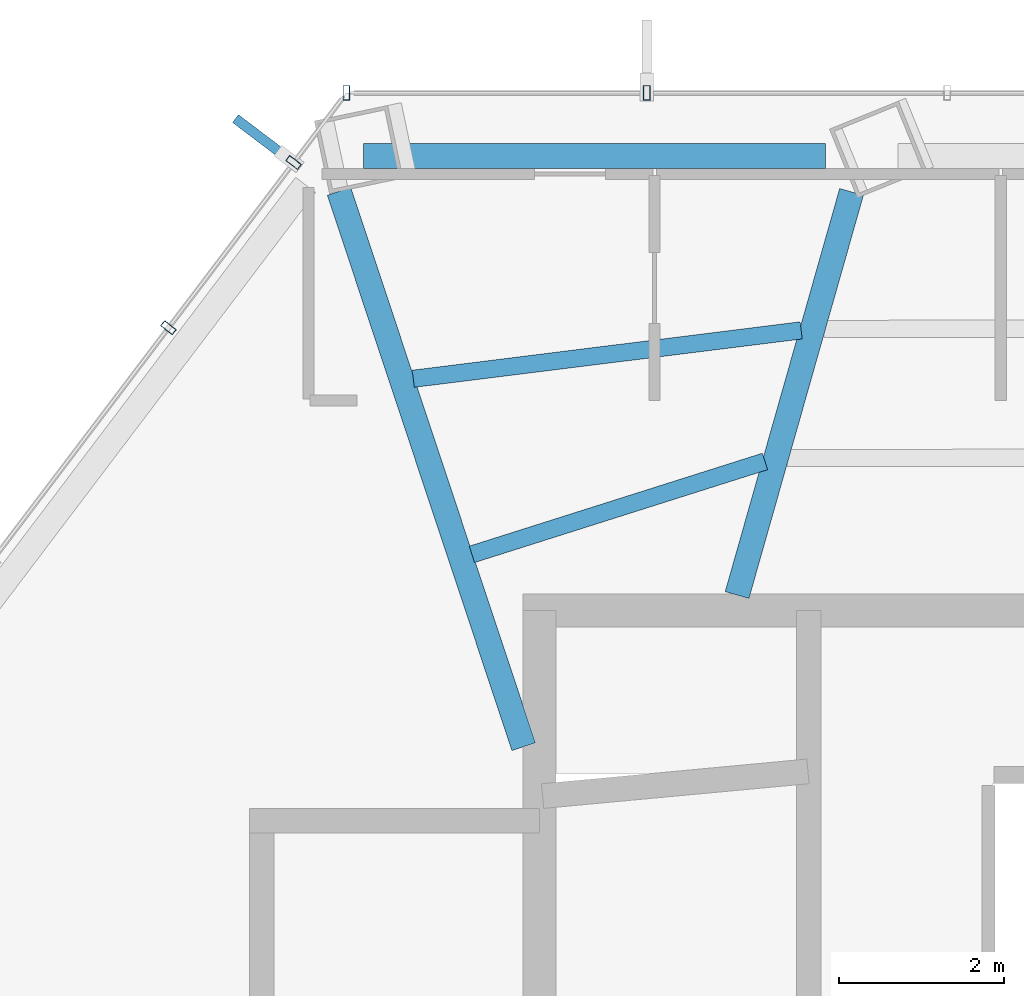
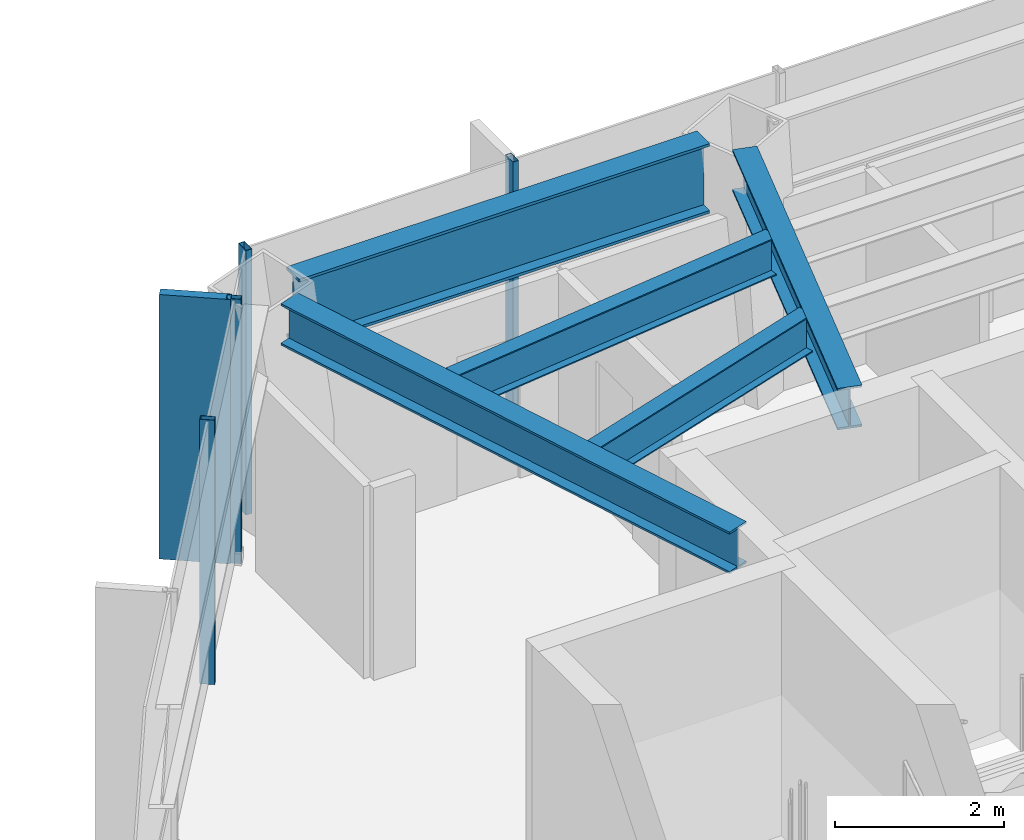
# One storey, part 13 of 27: 5 beams, 5 members, 2 elements without a shape of their own.
"""IFC4 building model written with IfcOpenShell, lengths in metres."""

from ifc_helpers import new_model, si_unit, direction, frame, origin, origin_2d, place, context, subcontext, project, spatial, rectangle, hollow_rectangle, i_section, extrude, material, layer, layer_set, material_profile, profile_set, type_object, element, aggregate, save


model = new_model("IFC4")

# Units and contexts
model_context = context("Model", 3, precision=1e-05, world=origin(), true_north=direction((0.0, 1.0)))
body_context = subcontext(model_context, "Body", "Model", "MODEL_VIEW")
ifc_project = project(units=[si_unit("LENGTHUNIT", "METRE"), si_unit("AREAUNIT", "SQUARE_METRE"), si_unit("VOLUMEUNIT", "CUBIC_METRE"), si_unit("PLANEANGLEUNIT", "RADIAN"), si_unit("MASSUNIT", "GRAM", prefix="KILO")], contexts=[model_context])

# Site, building, storey
site_placement = place(None, origin())
site = spatial("IfcSite", under=ifc_project, at=site_placement, CompositionType="ELEMENT")
building_placement = place(site_placement, origin())
building = spatial("IfcBuilding", under=site, at=building_placement, Name="Zarrinselat Tower", CompositionType="ELEMENT")
storey_placement = place(building_placement, frame((0.0, 0.0, 80.580078125)))
storey = spatial("IfcBuildingStorey", under=building, at=storey_placement, Name="L19", CompositionType="ELEMENT", Elevation=80.580078125)

# Beams
ifc_material_1 = material(Name="Steel S355J2", Category="steel")
ifc_material_profile_1 = material_profile(ifc_material_1, i_section(OverallWidth=0.300048828125, OverallDepth=0.60009765625, WebThickness=0.015380859375, FlangeThickness=0.030029296875, at=origin_2d()), Name="HEB 600")
ifc_profile_set_1 = profile_set([ifc_material_profile_1], Name="Steel S355J2")
beam_type_1 = type_object("IfcBeamType", Name="BM-HEB600", PredefinedType="BEAM", material=ifc_profile_set_1)
beam_1_placement = place(storey_placement, frame((31.0, 43.639892578125, 3.52001953125), z_axis=(0.273160985229, 0.961968334275, 0.0), x_axis=(-0.961968334275, 0.273160985229, 0.0)))
element("IfcBeam", 1, at=beam_1_placement, inside=storey, type_object=beam_type_1, Name="L19 Radial Primary Girder RG04", PredefinedType="BEAM", context=body_context, shape_type="SweptSolid", body=[
    extrude(i_section(OverallWidth=0.300048828125, OverallDepth=0.60009765625, WebThickness=0.015380859375, FlangeThickness=0.030029296875, at=origin_2d()), origin(), (0.0, 0.0, 1.0), 5.08544921875),
])
beam_2_placement = place(storey_placement, frame((26.170166015625, 48.537841796875, 3.52001953125), z_axis=(0.315443690727, -0.948944296564, 0.0), x_axis=(0.948944296564, 0.315443690727, 0.0)))
element("IfcBeam", 2, at=beam_2_placement, inside=storey, type_object=beam_type_1, Name="L19 Radial Primary Girder RG05", PredefinedType="BEAM", context=body_context, shape_type="SweptSolid", body=[
    extrude(i_section(OverallWidth=0.300048828125, OverallDepth=0.60009765625, WebThickness=0.015380859375, FlangeThickness=0.030029296875, at=origin_2d()), origin(), (0.0, 0.0, 1.0), 7.100341796875),
])
ifc_material_2 = material(Name="Steel S460M", Category="steel")
ifc_material_profile_2 = material_profile(ifc_material_2, i_section(OverallWidth=0.302001953125, OverallDepth=1.008056640625, WebThickness=0.02099609375, FlangeThickness=0.0400390625, at=origin_2d()), Name="HEM 1000")
ifc_profile_set_2 = profile_set([ifc_material_profile_2], Name="Steel S460M")
beam_type_2 = type_object("IfcBeamType", Name="BM-HEM1000", PredefinedType="BEAM", material=ifc_profile_set_2)
beam_3_placement = place(storey_placement, frame((26.465576171875, 48.966796875, 3.31591796875), z_axis=(1.0, 0.0, 0.0), x_axis=(0.0, 1.0, 0.0)))
element("IfcBeam", 3, at=beam_3_placement, inside=storey, type_object=beam_type_2, Name="L19 Perimeter Spandrel Girder SP04", PredefinedType="BEAM", context=body_context, shape_type="SweptSolid", body=[
    extrude(i_section(OverallWidth=0.302001953125, OverallDepth=1.008056640625, WebThickness=0.02099609375, FlangeThickness=0.0400390625, at=origin_2d()), origin(), (0.0, 0.0, 1.0), 5.609130859375),
])
ifc_material_3 = material(Name="Steel S355J2", Category="steel")
ifc_material_profile_3 = material_profile(ifc_material_3, i_section(OverallWidth=0.2099609375, OverallDepth=0.550048828125, WebThickness=0.010986328125, FlangeThickness=0.01708984375, at=origin_2d()), Name="IPE 550")
ifc_profile_set_3 = profile_set([ifc_material_profile_3], Name="Steel S355J2")
beam_type_3 = type_object("IfcBeamType", Name="BM-IPE550", PredefinedType="JOIST", material=ifc_profile_set_3)
beam_4_placement = place(storey_placement, frame((27.070556640625, 46.264404296875, 3.544921875), z_axis=(0.992316625644, 0.12372434874, 0.0), x_axis=(-0.12372434874, 0.992316625644, 0.0)))
element("IfcBeam", 4, at=beam_4_placement, inside=storey, type_object=beam_type_3, Name="L19 Composite Floor Joist 9-1", PredefinedType="JOIST", context=body_context, shape_type="SweptSolid", body=[
    extrude(i_section(OverallWidth=0.2099609375, OverallDepth=0.550048828125, WebThickness=0.010986328125, FlangeThickness=0.01708984375, at=origin_2d()), origin(), (0.0, 0.0, 1.0), 4.74365234375),
])
beam_5_placement = place(storey_placement, frame((27.781982421875, 44.13330078125, 3.544921875), z_axis=(0.953238913259, 0.30221775965, 0.0), x_axis=(-0.30221775965, 0.953238913259, 0.0)))
element("IfcBeam", 5, at=beam_5_placement, inside=storey, type_object=beam_type_3, Name="L19 Composite Floor Joist 9-2", PredefinedType="JOIST", context=body_context, shape_type="SweptSolid", body=[
    extrude(i_section(OverallWidth=0.2099609375, OverallDepth=0.550048828125, WebThickness=0.010986328125, FlangeThickness=0.01708984375, at=origin_2d()), origin(), (0.0, 0.0, 1.0), 3.7314453125),
])

# Curtain wall, members
ifc_material_4 = material(Name="Extruded Aluminium Alloy EN AW-6063 T6", Category="aluminium")
ifc_layer = layer(ifc_material_4, 0.18505859375)
ifc_layer_set = layer_set([ifc_layer], Name="Extruded Aluminium Alloy EN AW-6063 T6")
curtain_wall_type = type_object("IfcCurtainWallType", Name="CWS-OFF", PredefinedType="NOTDEFINED", material=ifc_layer_set)
curtain_wall_1_placement = place(storey_placement, origin())
curtain_wall_1 = element("IfcCurtainWall", 6, at=curtain_wall_1_placement, inside=storey, type_object=curtain_wall_type, Name="L19 Unitised Curtain Wall CW-L19-E01", PredefinedType="NOTDEFINED")
ifc_material_5 = material(Name="Extruded Aluminium Alloy EN AW-6063 T6", Category="aluminium")
ifc_material_profile_4 = material_profile(ifc_material_5, hollow_rectangle(XDim=0.080078125, YDim=0.179931640625, WallThickness=0.0048828125, at=origin_2d()), Name="RHS 180x80x5")
ifc_profile_set_4 = profile_set([ifc_material_profile_4], Name="Extruded Aluminium Alloy EN AW-6063 T6")
member_type_1 = type_object("IfcMemberType", Name="MEM-CW-MUL", PredefinedType="MULLION", material=ifc_profile_set_4)
member_1_placement = place(storey_placement, frame((29.903564453125, 49.7333984375, 0.0), z_axis=(0.0, 0.0, 1.0), x_axis=(-1.0, 0.0, 0.0)))
member_1 = element("IfcMember", 7, at=member_1_placement, type_object=member_type_1, Name="CW-L19-E01 Mullion 7", PredefinedType="MULLION", context=body_context, shape_type="SweptSolid", body=[
    extrude(hollow_rectangle(XDim=0.080078125, YDim=0.179931640625, WallThickness=0.0048828125, at=origin_2d()), origin(), (0.0, 0.0, 1.0), 3.81982421875),
])
member_2_placement = place(storey_placement, frame((26.25830078125, 49.7333984375, 0.0), z_axis=(0.0, 0.0, 1.0), x_axis=(-1.0, 0.0, 0.0)))
member_2 = element("IfcMember", 8, at=member_2_placement, type_object=member_type_1, Name="CW-L19-E01 Mullion 8", PredefinedType="MULLION", context=body_context, shape_type="SweptSolid", body=[
    extrude(hollow_rectangle(XDim=0.080078125, YDim=0.179931640625, WallThickness=0.0048828125, at=origin_2d()), origin(), (0.0, 0.0, 1.0), 3.81982421875),
])
aggregate(curtain_wall_1, [member_1, member_2])

curtain_wall_2_placement = place(storey_placement, origin())
curtain_wall_2 = element("IfcCurtainWall", 9, at=curtain_wall_2_placement, inside=storey, type_object=curtain_wall_type, Name="L19 Unitised Curtain Wall CW-L19-E02", PredefinedType="NOTDEFINED")
member_3_placement = place(storey_placement, frame((25.617919921875, 48.887939453125, 0.0), z_axis=(0.0, 0.0, 1.0), x_axis=(-0.60385671849, -0.797092882627, 0.0)))
member_3 = element("IfcMember", 10, at=member_3_placement, type_object=member_type_1, Name="CW-L19-E02 Mullion 1", PredefinedType="MULLION", context=body_context, shape_type="SweptSolid", body=[
    extrude(hollow_rectangle(XDim=0.080078125, YDim=0.179931640625, WallThickness=0.0048828125, at=origin_2d()), origin(), (0.0, 0.0, 1.0), 3.81982421875),
])
member_4_placement = place(storey_placement, frame((24.099609375, 46.884033203125, 0.0), z_axis=(0.0, 0.0, 1.0), x_axis=(-0.60385671849, -0.797092882627, 0.0)))
member_4 = element("IfcMember", 11, at=member_4_placement, type_object=member_type_1, Name="CW-L19-E02 Mullion 2", PredefinedType="MULLION", context=body_context, shape_type="SweptSolid", body=[
    extrude(hollow_rectangle(XDim=0.080078125, YDim=0.179931640625, WallThickness=0.0048828125, at=origin_2d()), origin(), (0.0, 0.0, 1.0), 3.81982421875),
])
ifc_material_6 = material(Name="Honed Cream Travertine Stone", Category="masonry")
ifc_material_profile_5 = material_profile(ifc_material_6, rectangle(XDim=0.1201171875, YDim=0.85009765625, at=origin_2d()), Name="FIN 850x120")
ifc_profile_set_5 = profile_set([ifc_material_profile_5], Name="Honed Cream Travertine Stone")
member_type_2 = type_object("IfcMemberType", Name="MEM-STONE-FIN", PredefinedType="USERDEFINED", material=ifc_profile_set_5)
member_5_placement = place(storey_placement, frame((25.251220703125, 49.165771484375, 0.0), z_axis=(0.0, 0.0, 1.0), x_axis=(0.60385671849, 0.797092882627, 0.0)))
member_5 = element("IfcMember", 12, at=member_5_placement, type_object=member_type_2, Name="L19 Stone Shading Fin CW-L19-E02-01", ObjectType="FIN", PredefinedType="USERDEFINED", context=body_context, shape_type="SweptSolid", body=[
    extrude(rectangle(XDim=0.1201171875, YDim=0.85009765625, at=origin_2d()), origin(), (0.0, 0.0, 1.0), 3.81982421875),
])
aggregate(curtain_wall_2, [member_3, member_5, member_4])

save(model, "model.ifc")
